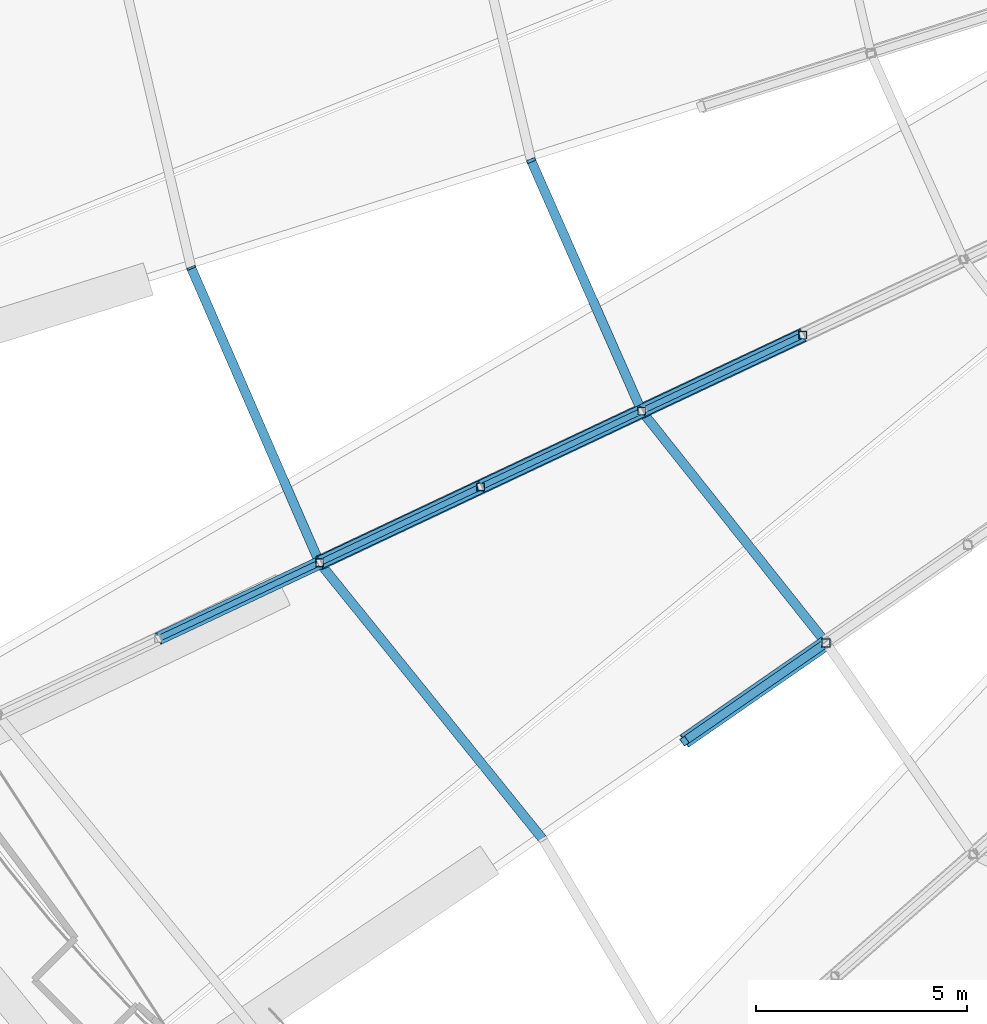
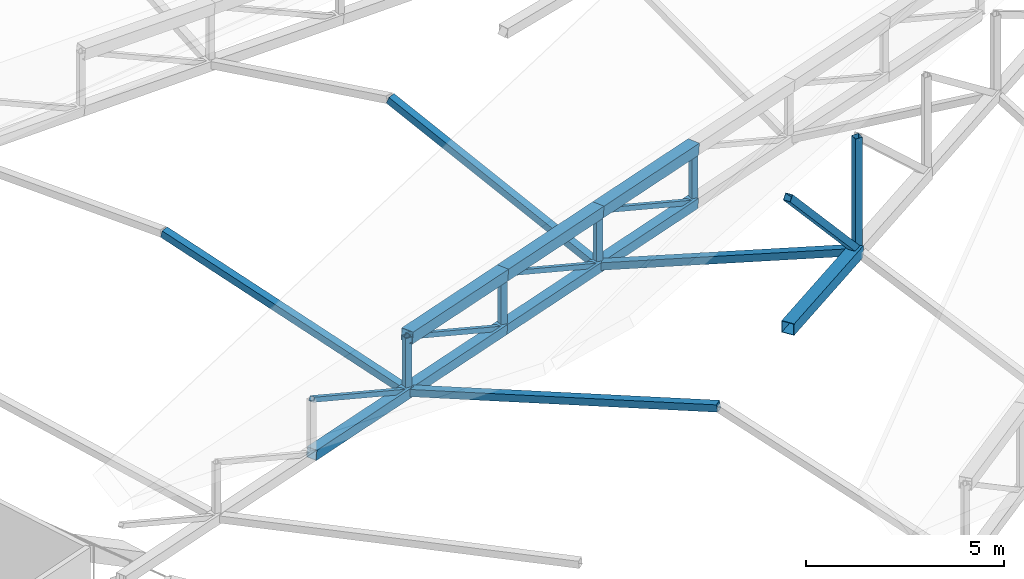
# One storey, part 19 of 344: 22 members.
"""IFC4 building model written with IfcOpenShell, lengths in metres."""

from ifc_helpers import new_model, si_unit, direction, frame, origin, origin_2d, place, context, subcontext, project, spatial, hollow_rectangle, extrude, material, material_profile, profile_set, type_object, element, save


model = new_model("IFC4")

# Units and contexts
model_context = context("Model", 3, precision=1e-05, world=origin(), true_north=direction((0.0, 1.0)))
body_context = subcontext(model_context, "Body", "Model", "MODEL_VIEW")
ifc_project = project(units=[si_unit("LENGTHUNIT", "METRE"), si_unit("AREAUNIT", "SQUARE_METRE"), si_unit("VOLUMEUNIT", "CUBIC_METRE"), si_unit("PLANEANGLEUNIT", "RADIAN"), si_unit("MASSUNIT", "GRAM", prefix="KILO")], contexts=[model_context])

# Site, building, storey
site_placement = place(None, origin())
site = spatial("IfcSite", under=ifc_project, at=site_placement, CompositionType="ELEMENT")
building_placement = place(site_placement, origin())
building = spatial("IfcBuilding", under=site, at=building_placement, Name="Meseta Stadium", CompositionType="ELEMENT")
storey_placement = place(building_placement, frame((0.0, 0.0, 24.0)))
storey = spatial("IfcBuildingStorey", under=building, at=storey_placement, Name="L04", CompositionType="ELEMENT", Elevation=24.0)

# Members
ifc_material_1 = material(Name="Steel S355", Category="steel")
ifc_material_profile_1 = material_profile(ifc_material_1, hollow_rectangle(XDim=0.139892578125, YDim=0.139892578125, WallThickness=0.0048828125, at=origin_2d()), Name="SHS 140x140x5")
ifc_profile_set_1 = profile_set([ifc_material_profile_1], Name="Steel S355")
member_type_1 = type_object("IfcMemberType", Name="SHS 140x140x5 diagonal", PredefinedType="BRACE", material=ifc_profile_set_1)
for number, where, z_axis, x_axis, name in (
    (1, (-55.553955078125, -60.97265625, 3.864013671875), (-0.804687036619, -0.379042764226, 0.456952246942), (0.426134347878, -0.904659890544, 0.0), "ROOF TRUSS RT-39 diagonal"),
    (2, (-59.369140625, -62.769775390625, 4.35107421875), (-0.804671329976, -0.379086858084, 0.456943327715), (0.426181724525, -0.904637572556, 0.0), "ROOF TRUSS RT-39 diagonal"),
):
    element("IfcMember", number, at=place(storey_placement, frame(where, z_axis=z_axis, x_axis=x_axis)), inside=storey, type_object=member_type_1, Name=name, PredefinedType="BRACE", context=body_context, shape_type="SweptSolid", body=[
        extrude(hollow_rectangle(XDim=0.139892578125, YDim=0.139892578125, WallThickness=0.0048828125, at=origin_2d()), origin(), (0.0, 0.0, 1.0), 4.7412109375),
    ])
member_1_placement = place(storey_placement, frame((-63.184326171875, -64.567138671875, 4.837890625), z_axis=(-0.804705185814, -0.379027058663, 0.456933313214), x_axis=(0.42611203162, -0.90467040214, 0.0)))
element("IfcMember", 3, at=member_1_placement, inside=storey, type_object=member_type_1, Name="ROOF TRUSS RT-39 diagonal", PredefinedType="BRACE", context=body_context, shape_type="SweptSolid", body=[
    extrude(hollow_rectangle(XDim=0.139892578125, YDim=0.139892578125, WallThickness=0.0048828125, at=origin_2d()), origin(), (0.0, 0.0, 1.0), 4.741455078125),
])
member_2_placement = place(storey_placement, frame((-66.999755859375, -66.3642578125, 5.32470703125), z_axis=(-0.804671329976, -0.379086858084, 0.456943327715), x_axis=(0.426181724525, -0.904637572556, 0.0)))
element("IfcMember", 4, at=member_2_placement, inside=storey, type_object=member_type_1, Name="ROOF TRUSS RT-39 diagonal", PredefinedType="BRACE", context=body_context, shape_type="SweptSolid", body=[
    extrude(hollow_rectangle(XDim=0.139892578125, YDim=0.139892578125, WallThickness=0.0048828125, at=origin_2d()), origin(), (0.0, 0.0, 1.0), 4.7412109375),
])
ifc_material_2 = material(Name="Steel S355", Category="steel")
ifc_material_profile_2 = material_profile(ifc_material_2, hollow_rectangle(XDim=0.179931640625, YDim=0.179931640625, WallThickness=0.00634765625, at=origin_2d()), Name="SHS 180x180x6.3")
ifc_profile_set_2 = profile_set([ifc_material_profile_2], Name="Steel S355")
member_type_2 = type_object("IfcMemberType", Name="SHS 180x180x6.3 post", PredefinedType="POST", material=ifc_profile_set_2)
member_3_placement = place(storey_placement, frame((-55.553955078125, -60.97265625, 3.864013671875), z_axis=(0.0, 0.0, 1.0), x_axis=(1.0, 0.0, 0.0)))
element("IfcMember", 5, at=member_3_placement, inside=storey, type_object=member_type_2, Name="ROOF TRUSS RT-39 post", PredefinedType="POST", context=body_context, shape_type="SweptSolid", body=[
    extrude(hollow_rectangle(XDim=0.179931640625, YDim=0.179931640625, WallThickness=0.00634765625, at=origin_2d()), origin(), (0.0, 0.0, 1.0), 1.6796875),
])
member_4_placement = place(storey_placement, frame((-59.369140625, -62.769775390625, 4.35107421875), z_axis=(0.0, 0.0, 1.0), x_axis=(1.0, 0.0, 0.0)))
element("IfcMember", 6, at=member_4_placement, inside=storey, type_object=member_type_2, Name="ROOF TRUSS RT-39 post", PredefinedType="POST", context=body_context, shape_type="SweptSolid", body=[
    extrude(hollow_rectangle(XDim=0.179931640625, YDim=0.179931640625, WallThickness=0.00634765625, at=origin_2d()), origin(), (0.0, 0.0, 1.0), 1.679443359375),
])
for number, where, z_axis, x_axis, name in (
    (7, (-63.184326171875, -64.567138671875, 4.837890625), (0.0, 0.0, 1.0), (1.0, 0.0, 0.0), "ROOF TRUSS RT-39 post"),
    (8, (-66.999755859375, -66.3642578125, 5.32470703125), (0.0, 0.0, 1.0), (1.0, 0.0, 0.0), "ROOF TRUSS RT-39 post"),
):
    element("IfcMember", number, at=place(storey_placement, frame(where, z_axis=z_axis, x_axis=x_axis)), inside=storey, type_object=member_type_2, Name=name, PredefinedType="POST", context=body_context, shape_type="SweptSolid", body=[
        extrude(hollow_rectangle(XDim=0.179931640625, YDim=0.179931640625, WallThickness=0.00634765625, at=origin_2d()), origin(), (0.0, 0.0, 1.0), 1.6796875),
    ])
ifc_material_3 = material(Name="Steel S355", Category="steel")
ifc_material_profile_3 = material_profile(ifc_material_3, hollow_rectangle(XDim=0.199951171875, YDim=0.199951171875, WallThickness=0.008056640625, at=origin_2d()), Name="SHS 200x200x8")
ifc_profile_set_3 = profile_set([ifc_material_profile_3], Name="Steel S355")
member_type_3 = type_object("IfcMemberType", Name="SHS 200x200x8 diagonal", PredefinedType="BRACE", material=ifc_profile_set_3)
member_5_placement = place(storey_placement, frame((-55.0, -68.263671875, 6.6044921875), z_axis=(-0.57264749333, -0.396877799918, 0.717330370411), x_axis=(0.569626659021, -0.821903564497, 0.0)))
element("IfcMember", 9, at=member_5_placement, inside=storey, type_object=member_type_3, Name="ROOF TRUSS RT-40 diagonal", PredefinedType="BRACE", context=body_context, shape_type="SweptSolid", body=[
    extrude(hollow_rectangle(XDim=0.199951171875, YDim=0.199951171875, WallThickness=0.008056640625, at=origin_2d()), origin(), (0.0, 0.0, 1.0), 5.858642578125),
])
ifc_material_4 = material(Name="Steel S355", Category="steel")
ifc_material_profile_4 = material_profile(ifc_material_4, hollow_rectangle(XDim=0.199951171875, YDim=0.199951171875, WallThickness=0.008056640625, at=origin_2d()), Name="SHS 200x200x8")
ifc_profile_set_4 = profile_set([ifc_material_profile_4], Name="Steel S355")
member_type_4 = type_object("IfcMemberType", Name="SHS 200x200x8 post", PredefinedType="POST", material=ifc_profile_set_4)
member_6_placement = place(storey_placement, frame((-55.0, -68.263671875, 6.6044921875), z_axis=(0.0, 0.0, 1.0), x_axis=(1.0, 0.0, 0.0)))
element("IfcMember", 10, at=member_6_placement, inside=storey, type_object=member_type_4, Name="ROOF TRUSS RT-40 post", PredefinedType="POST", context=body_context, shape_type="SweptSolid", body=[
    extrude(hollow_rectangle(XDim=0.199951171875, YDim=0.199951171875, WallThickness=0.008056640625, at=origin_2d()), origin(), (0.0, 0.0, 1.0), 3.4990234375),
])
ifc_material_5 = material(Name="Steel S355", Category="steel")
ifc_material_profile_5 = material_profile(ifc_material_5, hollow_rectangle(XDim=0.219970703125, YDim=0.219970703125, WallThickness=0.008056640625, at=origin_2d()), Name="SHS 220x220x8")
ifc_profile_set_5 = profile_set([ifc_material_profile_5], Name="Steel S355")
member_type_5 = type_object("IfcMemberType", Name="SHS 220x220x8 strut", PredefinedType="STRUT", material=ifc_profile_set_5)
member_7_placement = place(storey_placement, frame((-61.988525390625, -56.83447265625, 6.7841796875), z_axis=(0.378040195827, -0.856606878624, -0.35115561484), x_axis=(0.914868336457, 0.403752308907, 0.0)))
element("IfcMember", 11, at=member_7_placement, inside=storey, type_object=member_type_5, Name="ROOF TRUSS STRUT RT-38/39", PredefinedType="STRUT", context=body_context, shape_type="SweptSolid", body=[
    extrude(hollow_rectangle(XDim=0.219970703125, YDim=0.219970703125, WallThickness=0.008056640625, at=origin_2d()), origin(), (0.0, 0.0, 1.0), 6.928955078125),
])
member_8_placement = place(storey_placement, frame((-70.041015625, -59.377197265625, 7.029541015625), z_axis=(0.389474076181, -0.894786753329, -0.218326842255), x_axis=(0.916906476433, 0.399102134139, 0.0)))
element("IfcMember", 12, at=member_8_placement, inside=storey, type_object=member_type_5, Name="ROOF TRUSS STRUT RT-38/39", PredefinedType="STRUT", context=body_context, shape_type="SweptSolid", body=[
    extrude(hollow_rectangle(XDim=0.219970703125, YDim=0.219970703125, WallThickness=0.008056640625, at=origin_2d()), origin(), (0.0, 0.0, 1.0), 7.80859375),
])
member_9_placement = place(storey_placement, frame((-59.369140625, -62.769775390625, 4.35107421875), z_axis=(0.592646229983, -0.745212232528, 0.30566186314), x_axis=(0.782670753769, 0.622435933406, 0.0)))
element("IfcMember", 13, at=member_9_placement, inside=storey, type_object=member_type_5, Name="ROOF TRUSS STRUT RT-39/40", PredefinedType="STRUT", context=body_context, shape_type="SweptSolid", body=[
    extrude(hollow_rectangle(XDim=0.219970703125, YDim=0.219970703125, WallThickness=0.008056640625, at=origin_2d()), origin(), (0.0, 0.0, 1.0), 7.372314453125),
])
member_10_placement = place(storey_placement, frame((-66.999755859375, -66.3642578125, 5.32470703125), z_axis=(0.616745218706, -0.763658450209, 0.190921729062), x_axis=(0.777968984671, 0.628302680951, 0.0)))
element("IfcMember", 14, at=member_10_placement, inside=storey, type_object=member_type_5, Name="ROOF TRUSS STRUT RT-39/40", PredefinedType="STRUT", context=body_context, shape_type="SweptSolid", body=[
    extrude(hollow_rectangle(XDim=0.219970703125, YDim=0.219970703125, WallThickness=0.008056640625, at=origin_2d()), origin(), (0.0, 0.0, 1.0), 8.57666015625),
])
ifc_material_6 = material(Name="Steel S355", Category="steel")
ifc_material_profile_6 = material_profile(ifc_material_6, hollow_rectangle(XDim=0.300048828125, YDim=0.300048828125, WallThickness=0.010009765625, at=origin_2d()), Name="SHS 300x300x10")
ifc_profile_set_6 = profile_set([ifc_material_profile_6], Name="Steel S355")
member_type_6 = type_object("IfcMemberType", Name="SHS 300x300x10 bottom chord", PredefinedType="CHORD", material=ifc_profile_set_6)
for number, where, z_axis, x_axis, name in (
    (15, (-55.553955078125, -60.97265625, 3.864013671875), (-0.898686205597, -0.42332048118, 0.114729569346), (0.426134347878, -0.904659890544, 0.0), "ROOF TRUSS RT-39 bottom chord"),
    (16, (-59.369140625, -62.769775390625, 4.35107421875), (-0.898670254409, -0.423370475009, 0.114670025423), (0.426181724525, -0.904637572556, 0.0), "ROOF TRUSS RT-39 bottom chord"),
):
    element("IfcMember", number, at=place(storey_placement, frame(where, z_axis=z_axis, x_axis=x_axis)), inside=storey, type_object=member_type_6, Name=name, PredefinedType="CHORD", context=body_context, shape_type="SweptSolid", body=[
        extrude(hollow_rectangle(XDim=0.300048828125, YDim=0.300048828125, WallThickness=0.010009765625, at=origin_2d()), origin(), (0.0, 0.0, 1.0), 4.245361328125),
    ])
member_11_placement = place(storey_placement, frame((-63.184326171875, -64.567138671875, 4.837890625), z_axis=(-0.898703194767, -0.423301396, 0.11466689086), x_axis=(0.42611203162, -0.90467040214, 0.0)))
element("IfcMember", 17, at=member_11_placement, inside=storey, type_object=member_type_6, Name="ROOF TRUSS RT-39 bottom chord", PredefinedType="CHORD", context=body_context, shape_type="SweptSolid", body=[
    extrude(hollow_rectangle(XDim=0.300048828125, YDim=0.300048828125, WallThickness=0.010009765625, at=origin_2d()), origin(), (0.0, 0.0, 1.0), 4.24560546875),
])
member_12_placement = place(storey_placement, frame((-66.999755859375, -66.3642578125, 5.32470703125), z_axis=(-0.898670254409, -0.423370475009, 0.114670025423), x_axis=(0.426181724525, -0.904637572556, 0.0)))
element("IfcMember", 18, at=member_12_placement, inside=storey, type_object=member_type_6, Name="ROOF TRUSS RT-39 bottom chord", PredefinedType="CHORD", context=body_context, shape_type="SweptSolid", body=[
    extrude(hollow_rectangle(XDim=0.300048828125, YDim=0.300048828125, WallThickness=0.010009765625, at=origin_2d()), origin(), (0.0, 0.0, 1.0), 4.245361328125),
])
ifc_material_7 = material(Name="Steel S355", Category="steel")
ifc_material_profile_7 = material_profile(ifc_material_7, hollow_rectangle(XDim=0.35009765625, YDim=0.35009765625, WallThickness=0.010009765625, at=origin_2d()), Name="SHS 350x350x10")
ifc_profile_set_7 = profile_set([ifc_material_profile_7], Name="Steel S355")
member_type_7 = type_object("IfcMemberType", Name="SHS 350x350x10 top chord", PredefinedType="CHORD", material=ifc_profile_set_7)
for number, where, z_axis, x_axis, name in (
    (19, (-55.553955078125, -60.97265625, 5.543701171875), (-0.89869213364, -0.423323273547, 0.114672817206), (0.426134347878, -0.904659890544, 0.0), "ROOF TRUSS RT-39 top chord"),
    (20, (-59.369140625, -62.769775390625, 6.030517578125), (-0.898664326799, -0.423367682466, 0.114726776218), (0.426181724525, -0.904637572556, 0.0), "ROOF TRUSS RT-39 top chord"),
):
    element("IfcMember", number, at=place(storey_placement, frame(where, z_axis=z_axis, x_axis=x_axis)), inside=storey, type_object=member_type_7, Name=name, PredefinedType="CHORD", context=body_context, shape_type="SweptSolid", body=[
        extrude(hollow_rectangle(XDim=0.35009765625, YDim=0.35009765625, WallThickness=0.010009765625, at=origin_2d()), origin(), (0.0, 0.0, 1.0), 4.245361328125),
    ])
member_13_placement = place(storey_placement, frame((-63.184326171875, -64.567138671875, 6.517578125), z_axis=(-0.898703194767, -0.423301396, 0.11466689086), x_axis=(0.42611203162, -0.90467040214, 0.0)))
element("IfcMember", 21, at=member_13_placement, inside=storey, type_object=member_type_7, Name="ROOF TRUSS RT-39 top chord", PredefinedType="CHORD", context=body_context, shape_type="SweptSolid", body=[
    extrude(hollow_rectangle(XDim=0.35009765625, YDim=0.35009765625, WallThickness=0.010009765625, at=origin_2d()), origin(), (0.0, 0.0, 1.0), 4.24560546875),
])
ifc_material_8 = material(Name="Steel S355", Category="steel")
ifc_material_profile_8 = material_profile(ifc_material_8, hollow_rectangle(XDim=0.35009765625, YDim=0.35009765625, WallThickness=0.01416015625, at=origin_2d()), Name="SHS 350x350x14.2")
ifc_profile_set_8 = profile_set([ifc_material_profile_8], Name="Steel S355")
member_type_8 = type_object("IfcMemberType", Name="SHS 350x350x14.2 bottom chord", PredefinedType="CHORD", material=ifc_profile_set_8)
member_14_placement = place(storey_placement, frame((-55.0, -68.263671875, 6.6044921875), z_axis=(-0.821114858437, -0.569080040151, 0.043798369323), x_axis=(0.569626659021, -0.821903564497, 0.0)))
element("IfcMember", 22, at=member_14_placement, inside=storey, type_object=member_type_8, Name="ROOF TRUSS RT-40 bottom chord", PredefinedType="CHORD", context=body_context, shape_type="SweptSolid", body=[
    extrude(hollow_rectangle(XDim=0.35009765625, YDim=0.35009765625, WallThickness=0.01416015625, at=origin_2d()), origin(), (0.0, 0.0, 1.0), 4.0859375),
])

save(model, "model.ifc")
